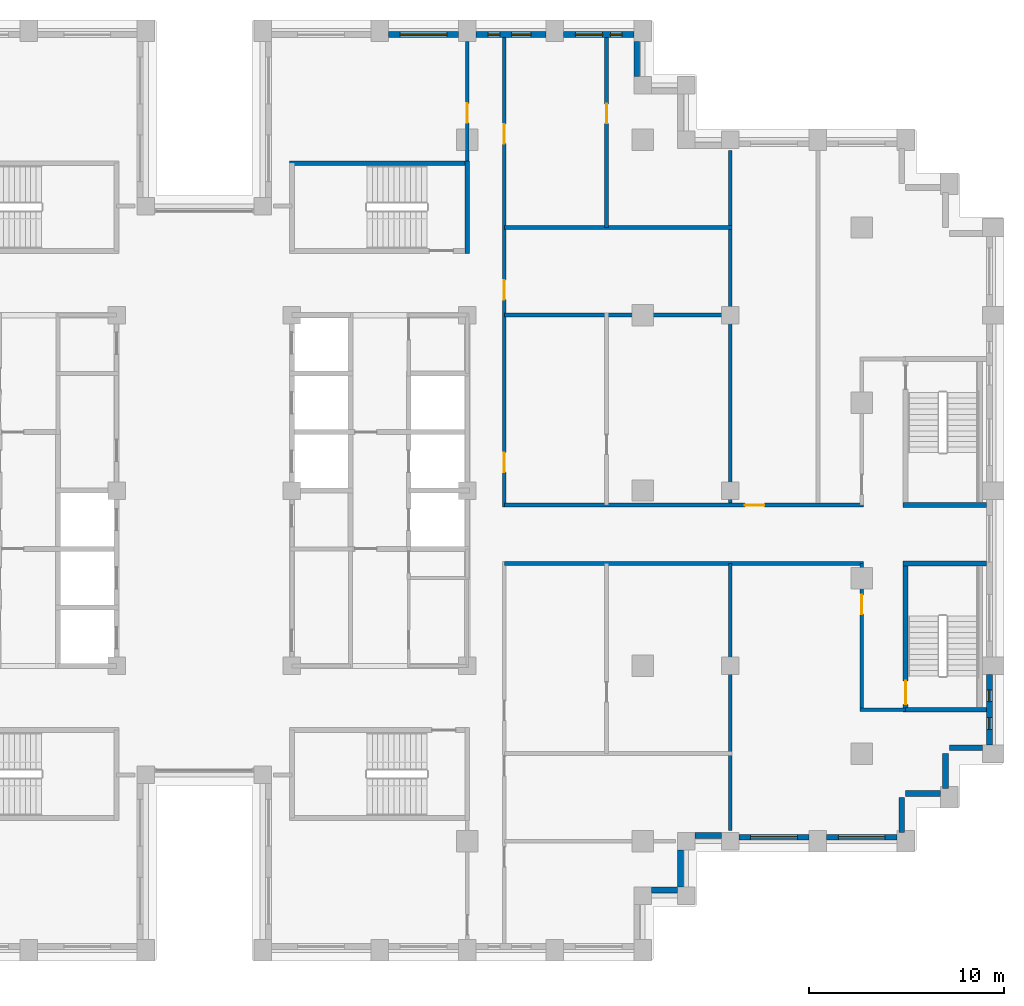
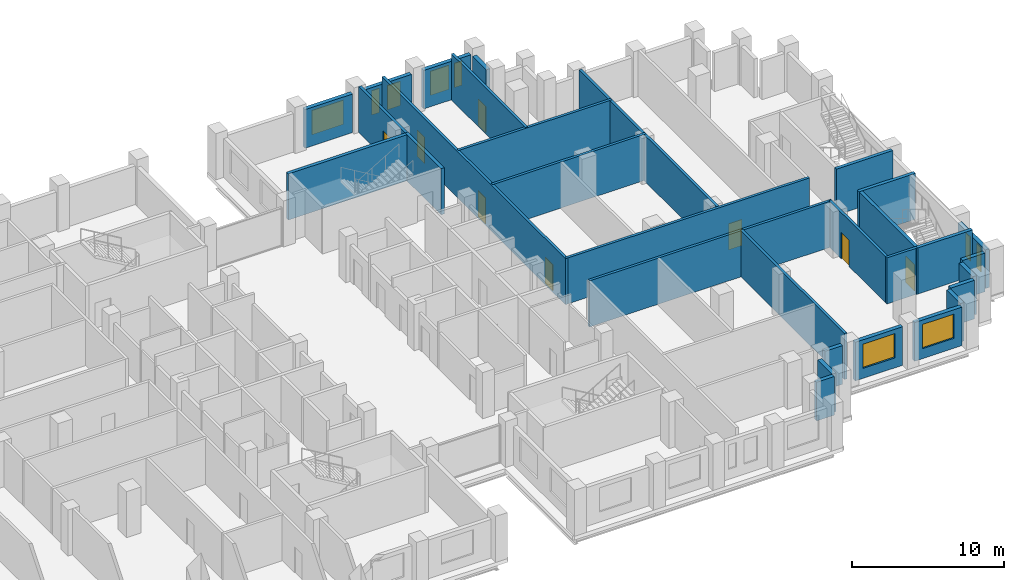
# One storey, part 11 of 15: 31 walls, 9 windows, 8 doors, 17 openings.
"""IFC4 building model written with IfcOpenShell, lengths in metres."""

import ifcopenshell
import ifcopenshell.guid

model = None  # the IFC model being written
_history = None  # IfcOwnerHistory: only IFC2X3 demands one
_inside = {}  # id of a spatial element -> (the spatial element, [elements in it])
_under = {}  # id of a project, library or spatial element -> (it, [spatial elements below it])
_declared = {}  # id of a project -> (the project, [libraries it declares])
_typed = {}  # id of a type object -> (the type object, [elements of that type])
_made_of = {}  # id of a material, layer set ... -> (it, [elements and type objects made of it])


def new_model(schema):
    """Start an empty IFC model of exactly this schema.

    Asked for "IFC4X3", IfcOpenShell would pick the latest addendum, in which some entities
    have other attributes; the version numbers below select the first issue.
    IFC2X3 requires an IfcOwnerHistory on every rooted entity: one is made here for all.
    """
    global model, _history
    if schema == "IFC4X3":
        model = ifcopenshell.file(schema_version=(4, 3, 0, 0))
    else:
        model = ifcopenshell.file(schema=schema)
    _inside.clear()
    _under.clear()
    _declared.clear()
    _typed.clear()
    _made_of.clear()
    _history = None
    if model.schema == "IFC2X3":
        org = make("IfcOrganization", Name="unknown")
        user = make(
            "IfcPersonAndOrganization",
            ThePerson=make("IfcPerson", FamilyName="unknown"),
            TheOrganization=org,
        )
        app = make(
            "IfcApplication",
            ApplicationDeveloper=org,
            Version="unknown",
            ApplicationFullName="unknown",
            ApplicationIdentifier="unknown",
        )
        _history = make(
            "IfcOwnerHistory",
            OwningUser=user,
            OwningApplication=app,
            ChangeAction="ADDED",
            CreationDate=0,
        )
    return model


def make(cls, **values):
    """One entity of the class cls with the attributes given. An attribute that is None is left unset."""
    return model.create_entity(
        cls, **{name: value for name, value in values.items() if value is not None}
    )


def rooted(cls, **values):
    """An entity with a GlobalId (a new one), such as an element, a storey or a relation."""
    return make(cls, GlobalId=ifcopenshell.guid.new(), OwnerHistory=_history, **values)


def si_unit(unit_type, name, prefix=None):
    """IfcSIUnit, for example si_unit("LENGTHUNIT", "METRE", prefix="MILLI")."""
    return make("IfcSIUnit", UnitType=unit_type, Prefix=prefix, Name=name)


def assignment(units):
    """IfcUnitAssignment: the units of a project."""
    return None if units is None else make("IfcUnitAssignment", Units=units)


def point(xyz):
    """IfcCartesianPoint."""
    return None if xyz is None else make("IfcCartesianPoint", Coordinates=xyz)


def direction(xyz):
    """IfcDirection."""
    return None if xyz is None else make("IfcDirection", DirectionRatios=xyz)


def frame(location, z_axis=None, x_axis=None):
    """IfcAxis2Placement3D, a coordinate frame: its origin and axes. An axis left out is left unset."""
    return make(
        "IfcAxis2Placement3D",
        Location=point(location),
        Axis=direction(z_axis),
        RefDirection=direction(x_axis),
    )


def frame_2d(location, x_axis=None):
    """IfcAxis2Placement2D, a coordinate frame in the plane: its origin and x axis."""
    return make(
        "IfcAxis2Placement2D", Location=point(location), RefDirection=direction(x_axis)
    )


def origin():
    """The frame at (0, 0, 0) with its axes left unset."""
    return frame((0.0, 0.0, 0.0))


def place(relative_to, where):
    """IfcLocalPlacement: puts the frame where relative to a parent placement (None: the world)."""
    return make(
        "IfcLocalPlacement", PlacementRelTo=relative_to, RelativePlacement=where
    )


def context(
    kind, dimensions, precision=None, world=None, true_north=None, identifier=None
):
    """IfcGeometricRepresentationContext, for example the 3D "Model" context."""
    return make(
        "IfcGeometricRepresentationContext",
        ContextIdentifier=identifier,
        ContextType=kind,
        CoordinateSpaceDimension=dimensions,
        Precision=precision,
        WorldCoordinateSystem=world,
        TrueNorth=true_north,
    )


def subcontext(parent, identifier, kind, view, scale=None):
    """IfcGeometricRepresentationSubContext, for example "Body" below "Model"."""
    return make(
        "IfcGeometricRepresentationSubContext",
        ContextIdentifier=identifier,
        ContextType=kind,
        ParentContext=parent,
        TargetScale=scale,
        TargetView=view,
    )


def project(units=None, contexts=None):
    """IfcProject with its units and contexts."""
    return rooted(
        "IfcProject",
        Name="project",
        RepresentationContexts=contexts,
        UnitsInContext=assignment(units),
    )


def spatial(cls, under=None, at=None, **own):
    """A site, building, storey or space (cls), placed at a placement, below another one or the project."""
    s = rooted(cls, ObjectPlacement=at, **own)
    if under is not None:
        _under.setdefault(under.id(), (under, []))[1].append(s)
    return s


def profile(cls, at=None, kind="AREA", **sizes):
    """A parametric profile (cls). Its sizes go by their IFC names, for example OverallWidth=200.0."""
    return make(cls, ProfileType=kind, Position=at, **sizes)


def rectangle(**sizes):
    """IfcRectangleProfileDef."""
    return profile("IfcRectangleProfileDef", **sizes)


def extrude(swept, where, along, depth):
    """IfcExtrudedAreaSolid: the profile swept, set in the frame where, extruded along a direction by depth."""
    return make(
        "IfcExtrudedAreaSolid",
        SweptArea=swept,
        Position=where,
        ExtrudedDirection=direction(along),
        Depth=depth,
    )


def shape(context_of_items, identifier, shape_type, items):
    """IfcShapeRepresentation: the items that make up one representation, for example the "Body"."""
    return make(
        "IfcShapeRepresentation",
        ContextOfItems=context_of_items,
        RepresentationIdentifier=identifier,
        RepresentationType=shape_type,
        Items=items,
    )


def material(Name=None, Category=None):
    """IfcMaterial."""
    return make("IfcMaterial", Name=Name, Category=Category)


def layer(
    of_material, thickness, ventilated=None, Name=None, Category=None, Priority=None
):
    """IfcMaterialLayer: one layer of a wall or slab, of a material (None: an air gap)."""
    return make(
        "IfcMaterialLayer",
        Material=of_material,
        LayerThickness=thickness,
        IsVentilated=ventilated,
        Name=Name,
        Category=Category,
        Priority=Priority,
    )


def layer_set(layers, Name=None):
    """IfcMaterialLayerSet."""
    return make("IfcMaterialLayerSet", MaterialLayers=layers, LayerSetName=Name)


def made_of(thing, what):
    """Note that an element or type object is made of a material, layer set ...; save() writes the relation."""
    if what is not None:
        _made_of.setdefault(what.id(), (what, []))[1].append(thing)
    return thing


def type_object(cls, material=None, **own):
    """A type object (cls), such as IfcWallType, which elements share."""
    return made_of(rooted(cls, **own), material)


def element(
    cls,
    number,
    at=None,
    inside=None,
    cuts=None,
    type_object=None,
    material=None,
    context=None,
    identifier="Body",
    shape_type=None,
    held_by="IfcProductDefinitionShape",
    body=None,
    shapes=None,
    **own,
):
    """One element of the class cls, such as IfcWall. Its Tag is "e" and its number.

    at: its placement. inside: the storey or other place that contains it. cuts: it is an
    opening in that element (IfcRelVoidsElement). A single representation is given by context,
    identifier, shape_type and body (its items); several are given by shapes. held_by: the class
    of the entity that holds the representations. save() writes the other relations.
    """
    e = rooted(cls, Tag="e%d" % number, ObjectPlacement=at, **own)
    if body is not None:
        shapes = [shape(context, identifier, shape_type, body)]
    if shapes is not None:
        e.Representation = make(held_by, Representations=shapes)
    if inside is not None:
        _inside.setdefault(inside.id(), (inside, []))[1].append(e)
    if cuts is not None:
        rooted(
            "IfcRelVoidsElement", RelatingBuildingElement=cuts, RelatedOpeningElement=e
        )
    if type_object is not None:
        _typed.setdefault(type_object.id(), (type_object, []))[1].append(e)
    return made_of(e, material)


def fill(opening, filler):
    """IfcRelFillsElement: the door or window that sits in an opening."""
    return rooted(
        "IfcRelFillsElement",
        RelatingOpeningElement=opening,
        RelatedBuildingElement=filler,
    )


def aggregate(whole, parts):
    """IfcRelAggregates: a whole, such as a stair, and the parts it consists of."""
    return rooted("IfcRelAggregates", RelatingObject=whole, RelatedObjects=parts)


def save(model, path):
    """Write the relations noted so far, then the file.

    IfcRelAggregates (storeys below a building ...), IfcRelContainedInSpatialStructure (elements
    in a storey), IfcRelDefinesByType, IfcRelAssociatesMaterial and IfcRelDeclares: one each for
    every whole, place, type object, material and project.
    """
    for whole, parts in _under.values():
        aggregate(whole, parts)
    for where, things in _inside.values():
        rooted(
            "IfcRelContainedInSpatialStructure",
            RelatedElements=things,
            RelatingStructure=where,
        )
    for kind, things in _typed.values():
        rooted("IfcRelDefinesByType", RelatedObjects=things, RelatingType=kind)
    for what, things in _made_of.values():
        rooted("IfcRelAssociatesMaterial", RelatedObjects=things, RelatingMaterial=what)
    for by, libraries in _declared.values():
        rooted("IfcRelDeclares", RelatingContext=by, RelatedDefinitions=libraries)
    model.write(path)


model = new_model("IFC4")

# Units and contexts
model_context = context("Model", 3, precision=1e-05, world=origin(), true_north=direction((0.0, 1.0)))
body_context = subcontext(model_context, "Body", "Model", "MODEL_VIEW")
ifc_project = project(units=[si_unit("LENGTHUNIT", "METRE"), si_unit("AREAUNIT", "SQUARE_METRE"), si_unit("VOLUMEUNIT", "CUBIC_METRE"), si_unit("PLANEANGLEUNIT", "RADIAN"), si_unit("MASSUNIT", "GRAM", prefix="KILO")], contexts=[model_context])

# Site, building, storey
site_placement = place(None, origin())
site = spatial("IfcSite", under=ifc_project, at=site_placement, CompositionType="ELEMENT")
building_placement = place(site_placement, origin())
building = spatial("IfcBuilding", under=site, at=building_placement, Name="Corbelhall Arena Tower", CompositionType="ELEMENT")
storey_placement = place(building_placement, frame((0.0, 0.0, 130.0)))
storey = spatial("IfcBuildingStorey", under=building, at=storey_placement, Name="L24", CompositionType="ELEMENT", Elevation=130.0)

# Walls
ifc_material_1 = material(Name="Precast concrete C40/50 with granite facing", Category="masonry")
ifc_layer_1 = layer(ifc_material_1, 0.300048828125)
ifc_layer_set_1 = layer_set([ifc_layer_1], Name="EV-IW1 Infill panel 300")
wall_type_1 = type_object("IfcWallType", Name="EV-IW1 Infill panel 300", PredefinedType="SOLIDWALL", material=ifc_layer_set_1)
for number, where, z_axis, x_axis, name in (
    (1, (35.800048828125, -17.550048828125, 0.0), (0.0, 0.0, 1.0), (0.0, 1.0, 0.0), "Infill panel IW1"),
    (2, (37.800048828125, -15.550048828125, 0.0), (0.0, 0.0, 1.0), (-1.0, 0.0, 0.0), "Infill panel IW1"),
    (3, (38.050048828125, -15.300048828125, 0.0), (0.0, 0.0, 1.0), (0.0, 1.0, 0.0), "Infill panel IW1"),
):
    element("IfcWall", number, at=place(storey_placement, frame(where, z_axis=z_axis, x_axis=x_axis)), inside=storey, type_object=wall_type_1, Name=name, PredefinedType="SOLIDWALL", context=body_context, shape_type="SweptSolid", body=[
        extrude(rectangle(XDim=1.800048828125, YDim=0.300048828125, at=frame_2d((0.89990234375, 0.0))), origin(), (0.0, 0.0, 1.0), 3.10009765625),
    ])
wall_1_placement = place(storey_placement, frame((39.949951171875, -13.199951171875, 0.0), z_axis=(0.0, 0.0, 1.0), x_axis=(-1.0, 0.0, 0.0)))
element("IfcWall", 4, at=wall_1_placement, inside=storey, type_object=wall_type_1, Name="Infill panel IW1", PredefinedType="SOLIDWALL", context=body_context, shape_type="SweptSolid", body=[
    extrude(rectangle(XDim=1.699951171875, YDim=0.300048828125, at=frame_2d((0.85009765625, 0.0))), origin(), (0.0, 0.0, 1.0), 3.10009765625),
])
wall_2_placement = place(storey_placement, frame((22.949951171875, -20.5, 0.0), z_axis=(0.0, 0.0, 1.0), x_axis=(1.0, 0.0, 0.0)))
element("IfcWall", 5, at=wall_2_placement, inside=storey, type_object=wall_type_1, Name="Infill panel IW1", PredefinedType="SOLIDWALL", context=body_context, shape_type="SweptSolid", body=[
    extrude(rectangle(XDim=1.35009765625, YDim=0.300048828125, at=frame_2d((0.675048828125, 0.0))), origin(), (0.0, 0.0, 1.0), 3.10009765625),
])
wall_3_placement = place(storey_placement, frame((24.449951171875, -20.35009765625, 0.0), z_axis=(0.0, 0.0, 1.0), x_axis=(0.0, 1.0, 0.0)))
element("IfcWall", 6, at=wall_3_placement, inside=storey, type_object=wall_type_1, Name="Infill panel IW1", PredefinedType="SOLIDWALL", context=body_context, shape_type="SweptSolid", body=[
    extrude(rectangle(XDim=1.900146484375, YDim=0.300048828125, at=frame_2d((0.9501953125, 0.0))), origin(), (0.0, 0.0, 1.0), 3.10009765625),
])
wall_4_placement = place(storey_placement, frame((25.199951171875, -17.699951171875, 0.0), z_axis=(0.0, 0.0, 1.0), x_axis=(1.0, 0.0, 0.0)))
element("IfcWall", 7, at=wall_4_placement, inside=storey, type_object=wall_type_1, Name="Infill panel IW1", PredefinedType="SOLIDWALL", context=body_context, shape_type="SweptSolid", body=[
    extrude(rectangle(XDim=1.35009765625, YDim=0.300048828125, at=frame_2d((0.675048828125, 0.0))), origin(), (0.0, 0.0, 1.0), 3.10009765625),
])

# Wall, opening, window
wall_5_placement = place(storey_placement, frame((27.449951171875, -17.800048828125, 0.0), z_axis=(0.0, 0.0, 1.0), x_axis=(1.0, 0.0, 0.0)))
wall_5 = element("IfcWall", 8, at=wall_5_placement, inside=storey, type_object=wall_type_1, Name="Infill panel IW1", PredefinedType="SOLIDWALL", context=body_context, shape_type="SweptSolid", body=[
    extrude(rectangle(XDim=3.60009765625, YDim=0.300048828125, at=frame_2d((1.800048828125, 0.0))), origin(), (0.0, 0.0, 1.0), 3.10009765625),
])
opening_1_placement = place(wall_5_placement, frame((0.60009765625, 0.0, 0.800048828125)))
opening_1 = element("IfcOpeningElement", 9, at=opening_1_placement, cuts=wall_5, Name="Opening WN1", PredefinedType="OPENING", context=body_context, shape_type="SweptSolid", body=[
    extrude(rectangle(XDim=2.39990234375, YDim=1.949951171875, at=frame_2d((1.199951171875, 0.97509765625))), frame((0.0, 0.14990234375, 0.0), z_axis=(0.0, -1.0, 0.0), x_axis=(1.0, 0.0, 0.0)), (0.0, 0.0, 1.0), 0.300048828125),
])
ifc_material_2 = material(Name="Aluminium black anodised", Category="aluminium")
window_type_1 = type_object("IfcWindowType", Name="EV-WN1 Office window", PartitioningType="SINGLE_PANEL", PredefinedType="WINDOW", material=ifc_material_2)
window_1_placement = place(opening_1_placement, origin())
window_1 = element("IfcWindow", 10, at=window_1_placement, inside=storey, type_object=window_type_1, Name="Window WN1", OverallHeight=1.949951171875, OverallWidth=2.39990234375, PartitioningType="SINGLE_PANEL", PredefinedType="WINDOW", context=body_context, shape_type="SweptSolid", body=[
    extrude(rectangle(XDim=2.39990234375, YDim=1.949951171875, at=frame_2d((1.199951171875, 0.97509765625))), frame((0.0, 0.030029296875, 0.0), z_axis=(0.0, -1.0, 0.0), x_axis=(1.0, 0.0, 0.0)), (0.0, 0.0, 1.0), 0.06005859375),
])
fill(opening_1, window_1)

wall_6_placement = place(storey_placement, frame((31.949951171875, -17.800048828125, 0.0), z_axis=(0.0, 0.0, 1.0), x_axis=(1.0, 0.0, 0.0)))
wall_6 = element("IfcWall", 11, at=wall_6_placement, inside=storey, type_object=wall_type_1, Name="Infill panel IW1", PredefinedType="SOLIDWALL", context=body_context, shape_type="SweptSolid", body=[
    extrude(rectangle(XDim=3.60009765625, YDim=0.300048828125, at=frame_2d((1.800048828125, 0.0))), origin(), (0.0, 0.0, 1.0), 3.10009765625),
])
opening_2_placement = place(wall_6_placement, frame((0.60009765625, 0.0, 0.800048828125)))
opening_2 = element("IfcOpeningElement", 12, at=opening_2_placement, cuts=wall_6, Name="Opening WN1", PredefinedType="OPENING", context=body_context, shape_type="SweptSolid", body=[
    extrude(rectangle(XDim=2.39990234375, YDim=1.949951171875, at=frame_2d((1.199951171875, 0.97509765625))), frame((0.0, 0.14990234375, 0.0), z_axis=(0.0, -1.0, 0.0), x_axis=(1.0, 0.0, 0.0)), (0.0, 0.0, 1.0), 0.300048828125),
])
window_2_placement = place(opening_2_placement, origin())
window_2 = element("IfcWindow", 13, at=window_2_placement, inside=storey, type_object=window_type_1, Name="Window WN1", OverallHeight=1.949951171875, OverallWidth=2.39990234375, PartitioningType="SINGLE_PANEL", PredefinedType="WINDOW", context=body_context, shape_type="SweptSolid", body=[
    extrude(rectangle(XDim=2.39990234375, YDim=1.949951171875, at=frame_2d((1.199951171875, 0.97509765625))), frame((0.0, 0.030029296875, 0.0), z_axis=(0.0, -1.0, 0.0), x_axis=(1.0, 0.0, 0.0)), (0.0, 0.0, 1.0), 0.06005859375),
])
fill(opening_2, window_2)

# Wall, openings, windows
wall_7_placement = place(storey_placement, frame((40.300048828125, -13.050048828125, 0.0), z_axis=(0.0, 0.0, 1.0), x_axis=(0.0, 1.0, 0.0)))
wall_7 = element("IfcWall", 14, at=wall_7_placement, inside=storey, type_object=wall_type_1, Name="Infill panel IW1", PredefinedType="SOLIDWALL", context=body_context, shape_type="SweptSolid", body=[
    extrude(rectangle(XDim=3.60009765625, YDim=0.300048828125, at=frame_2d((1.800048828125, 0.0))), origin(), (0.0, 0.0, 1.0), 3.10009765625),
])
opening_3_placement = place(wall_7_placement, frame((0.78759765625, 0.0, 0.800048828125)))
opening_3 = element("IfcOpeningElement", 15, at=opening_3_placement, cuts=wall_7, Name="Opening WN5", PredefinedType="OPENING", context=body_context, shape_type="SweptSolid", body=[
    extrude(rectangle(XDim=0.60009765625, YDim=1.949951171875, at=frame_2d((0.300048828125, 0.97509765625))), frame((0.0, 0.14990234375, 0.0), z_axis=(0.0, -1.0, 0.0), x_axis=(1.0, 0.0, 0.0)), (0.0, 0.0, 1.0), 0.300048828125),
])
opening_4_placement = place(wall_7_placement, frame((2.21240234375, 0.0, 0.800048828125)))
opening_4 = element("IfcOpeningElement", 16, at=opening_4_placement, cuts=wall_7, Name="Opening WN5", PredefinedType="OPENING", context=body_context, shape_type="SweptSolid", body=[
    extrude(rectangle(XDim=0.60009765625, YDim=1.949951171875, at=frame_2d((0.300048828125, 0.97509765625))), frame((0.0, 0.14990234375, 0.0), z_axis=(0.0, -1.0, 0.0), x_axis=(1.0, 0.0, 0.0)), (0.0, 0.0, 1.0), 0.300048828125),
])
window_type_2 = type_object("IfcWindowType", Name="EV-WN5 Office window 600", PartitioningType="SINGLE_PANEL", PredefinedType="WINDOW", material=ifc_material_2)
window_3_placement = place(opening_3_placement, origin())
window_3 = element("IfcWindow", 17, at=window_3_placement, inside=storey, type_object=window_type_2, Name="Window WN5", OverallHeight=1.949951171875, OverallWidth=0.60009765625, PartitioningType="SINGLE_PANEL", PredefinedType="WINDOW", context=body_context, shape_type="SweptSolid", body=[
    extrude(rectangle(XDim=0.60009765625, YDim=1.949951171875, at=frame_2d((0.300048828125, 0.97509765625))), frame((0.0, 0.030029296875, 0.0), z_axis=(0.0, -1.0, 0.0), x_axis=(1.0, 0.0, 0.0)), (0.0, 0.0, 1.0), 0.06005859375),
])
fill(opening_3, window_3)
window_4_placement = place(opening_4_placement, origin())
window_4 = element("IfcWindow", 18, at=window_4_placement, inside=storey, type_object=window_type_2, Name="Window WN5", OverallHeight=1.949951171875, OverallWidth=0.60009765625, PartitioningType="SINGLE_PANEL", PredefinedType="WINDOW", context=body_context, shape_type="SweptSolid", body=[
    extrude(rectangle(XDim=0.60009765625, YDim=1.949951171875, at=frame_2d((0.300048828125, 0.97509765625))), frame((0.0, 0.030029296875, 0.0), z_axis=(0.0, -1.0, 0.0), x_axis=(1.0, 0.0, 0.0)), (0.0, 0.0, 1.0), 0.06005859375),
])
fill(opening_4, window_4)

# Wall
wall_8_placement = place(storey_placement, frame((22.199951171875, 21.25, 0.0), z_axis=(0.0, 0.0, 1.0), x_axis=(0.0, 1.0, 0.0)))
element("IfcWall", 19, at=wall_8_placement, inside=storey, type_object=wall_type_1, Name="Infill panel IW1", PredefinedType="SOLIDWALL", context=body_context, shape_type="SweptSolid", body=[
    extrude(rectangle(XDim=1.800048828125, YDim=0.300048828125, at=frame_2d((0.89990234375, 0.0))), origin(), (0.0, 0.0, 1.0), 3.10009765625),
])

# Wall, openings, windows
wall_9_placement = place(storey_placement, frame((22.050048828125, 23.39990234375, 0.0), z_axis=(0.0, 0.0, 1.0), x_axis=(-1.0, 0.0, 0.0)))
wall_9 = element("IfcWall", 20, at=wall_9_placement, inside=storey, type_object=wall_type_1, Name="Infill panel IW1", PredefinedType="SOLIDWALL", context=body_context, shape_type="SweptSolid", body=[
    extrude(rectangle(XDim=3.60009765625, YDim=0.300048828125, at=frame_2d((1.800048828125, 0.0))), origin(), (0.0, 0.0, 1.0), 3.10009765625),
])
opening_5_placement = place(wall_9_placement, frame((0.60009765625, 0.0, 0.800048828125)))
opening_5 = element("IfcOpeningElement", 21, at=opening_5_placement, cuts=wall_9, Name="Opening WN5", PredefinedType="OPENING", context=body_context, shape_type="SweptSolid", body=[
    extrude(rectangle(XDim=0.60009765625, YDim=1.949951171875, at=frame_2d((0.300048828125, 0.97509765625))), frame((0.0, 0.14990234375, 0.0), z_axis=(0.0, -1.0, 0.0), x_axis=(1.0, 0.0, 0.0)), (0.0, 0.0, 1.0), 0.300048828125),
])
opening_6_placement = place(wall_9_placement, frame((1.60009765625, 0.0, 0.800048828125)))
opening_6 = element("IfcOpeningElement", 22, at=opening_6_placement, cuts=wall_9, Name="Opening WN7", PredefinedType="OPENING", context=body_context, shape_type="SweptSolid", body=[
    extrude(rectangle(XDim=1.39990234375, YDim=1.949951171875, at=frame_2d((0.699951171875, 0.97509765625))), frame((0.0, 0.14990234375, 0.0), z_axis=(0.0, -1.0, 0.0), x_axis=(1.0, 0.0, 0.0)), (0.0, 0.0, 1.0), 0.300048828125),
])
window_5_placement = place(opening_5_placement, origin())
window_5 = element("IfcWindow", 23, at=window_5_placement, inside=storey, type_object=window_type_2, Name="Window WN5", OverallHeight=1.949951171875, OverallWidth=0.60009765625, PartitioningType="SINGLE_PANEL", PredefinedType="WINDOW", context=body_context, shape_type="SweptSolid", body=[
    extrude(rectangle(XDim=0.60009765625, YDim=1.949951171875, at=frame_2d((0.300048828125, 0.97509765625))), frame((0.0, 0.030029296875, 0.0), z_axis=(0.0, -1.0, 0.0), x_axis=(1.0, 0.0, 0.0)), (0.0, 0.0, 1.0), 0.06005859375),
])
fill(opening_5, window_5)
window_type_3 = type_object("IfcWindowType", Name="EV-WN7 Office window 1400", PartitioningType="SINGLE_PANEL", PredefinedType="WINDOW", material=ifc_material_2)
window_6_placement = place(opening_6_placement, origin())
window_6 = element("IfcWindow", 24, at=window_6_placement, inside=storey, type_object=window_type_3, Name="Window WN7", OverallHeight=1.949951171875, OverallWidth=1.39990234375, PartitioningType="SINGLE_PANEL", PredefinedType="WINDOW", context=body_context, shape_type="SweptSolid", body=[
    extrude(rectangle(XDim=1.39990234375, YDim=1.949951171875, at=frame_2d((0.699951171875, 0.97509765625))), frame((0.0, 0.030029296875, 0.0), z_axis=(0.0, -1.0, 0.0), x_axis=(1.0, 0.0, 0.0)), (0.0, 0.0, 1.0), 0.06005859375),
])
fill(opening_6, window_6)

wall_10_placement = place(storey_placement, frame((17.550048828125, 23.39990234375, 0.0), z_axis=(0.0, 0.0, 1.0), x_axis=(-1.0, 0.0, 0.0)))
wall_10 = element("IfcWall", 25, at=wall_10_placement, inside=storey, type_object=wall_type_1, Name="Infill panel IW1", PredefinedType="SOLIDWALL", context=body_context, shape_type="SweptSolid", body=[
    extrude(rectangle(XDim=3.60009765625, YDim=0.300048828125, at=frame_2d((1.800048828125, 0.0))), origin(), (0.0, 0.0, 1.0), 3.10009765625),
])
opening_7_placement = place(wall_10_placement, frame((0.77490234375, 0.0, 0.800048828125)))
opening_7 = element("IfcOpeningElement", 26, at=opening_7_placement, cuts=wall_10, Name="Opening WN6", PredefinedType="OPENING", context=body_context, shape_type="SweptSolid", body=[
    extrude(rectangle(XDim=1.0, YDim=1.949951171875, at=frame_2d((0.5, 0.97509765625))), frame((0.0, 0.14990234375, 0.0), z_axis=(0.0, -1.0, 0.0), x_axis=(1.0, 0.0, 0.0)), (0.0, 0.0, 1.0), 0.300048828125),
])
opening_8_placement = place(wall_10_placement, frame((2.375, 0.0, 0.800048828125)))
opening_8 = element("IfcOpeningElement", 27, at=opening_8_placement, cuts=wall_10, Name="Opening WN5", PredefinedType="OPENING", context=body_context, shape_type="SweptSolid", body=[
    extrude(rectangle(XDim=0.60009765625, YDim=1.949951171875, at=frame_2d((0.300048828125, 0.97509765625))), frame((0.0, 0.14990234375, 0.0), z_axis=(0.0, -1.0, 0.0), x_axis=(1.0, 0.0, 0.0)), (0.0, 0.0, 1.0), 0.300048828125),
])
window_7_placement = place(opening_8_placement, origin())
window_7 = element("IfcWindow", 28, at=window_7_placement, inside=storey, type_object=window_type_2, Name="Window WN5", OverallHeight=1.949951171875, OverallWidth=0.60009765625, PartitioningType="SINGLE_PANEL", PredefinedType="WINDOW", context=body_context, shape_type="SweptSolid", body=[
    extrude(rectangle(XDim=0.60009765625, YDim=1.949951171875, at=frame_2d((0.300048828125, 0.97509765625))), frame((0.0, 0.030029296875, 0.0), z_axis=(0.0, -1.0, 0.0), x_axis=(1.0, 0.0, 0.0)), (0.0, 0.0, 1.0), 0.06005859375),
])
fill(opening_8, window_7)
window_type_4 = type_object("IfcWindowType", Name="EV-WN6 Office window 1000", PartitioningType="SINGLE_PANEL", PredefinedType="WINDOW", material=ifc_material_2)
window_8_placement = place(opening_7_placement, origin())
window_8 = element("IfcWindow", 29, at=window_8_placement, inside=storey, type_object=window_type_4, Name="Window WN6", OverallHeight=1.949951171875, OverallWidth=1.0, PartitioningType="SINGLE_PANEL", PredefinedType="WINDOW", context=body_context, shape_type="SweptSolid", body=[
    extrude(rectangle(XDim=1.0, YDim=1.949951171875, at=frame_2d((0.5, 0.97509765625))), frame((0.0, 0.030029296875, 0.0), z_axis=(0.0, -1.0, 0.0), x_axis=(1.0, 0.0, 0.0)), (0.0, 0.0, 1.0), 0.06005859375),
])
fill(opening_7, window_8)

# Wall, opening, window
wall_11_placement = place(storey_placement, frame((13.050048828125, 23.39990234375, 0.0), z_axis=(0.0, 0.0, 1.0), x_axis=(-1.0, 0.0, 0.0)))
wall_11 = element("IfcWall", 30, at=wall_11_placement, inside=storey, type_object=wall_type_1, Name="Infill panel IW1", PredefinedType="SOLIDWALL", context=body_context, shape_type="SweptSolid", body=[
    extrude(rectangle(XDim=3.60009765625, YDim=0.300048828125, at=frame_2d((1.800048828125, 0.0))), origin(), (0.0, 0.0, 1.0), 3.10009765625),
])
opening_9_placement = place(wall_11_placement, frame((0.60009765625, 0.0, 0.800048828125)))
opening_9 = element("IfcOpeningElement", 31, at=opening_9_placement, cuts=wall_11, Name="Opening WN1", PredefinedType="OPENING", context=body_context, shape_type="SweptSolid", body=[
    extrude(rectangle(XDim=2.39990234375, YDim=1.949951171875, at=frame_2d((1.199951171875, 0.97509765625))), frame((0.0, 0.14990234375, 0.0), z_axis=(0.0, -1.0, 0.0), x_axis=(1.0, 0.0, 0.0)), (0.0, 0.0, 1.0), 0.300048828125),
])
window_9_placement = place(opening_9_placement, origin())
window_9 = element("IfcWindow", 32, at=window_9_placement, inside=storey, type_object=window_type_1, Name="Window WN1", OverallHeight=1.949951171875, OverallWidth=2.39990234375, PartitioningType="SINGLE_PANEL", PredefinedType="WINDOW", context=body_context, shape_type="SweptSolid", body=[
    extrude(rectangle(XDim=2.39990234375, YDim=1.949951171875, at=frame_2d((1.199951171875, 0.97509765625))), frame((0.0, 0.030029296875, 0.0), z_axis=(0.0, -1.0, 0.0), x_axis=(1.0, 0.0, 0.0)), (0.0, 0.0, 1.0), 0.06005859375),
])
fill(opening_9, window_9)

# Wall, opening, door
ifc_material_3 = material(Name="Gypsum board on steel stud, acoustic", Category="steel")
ifc_layer_2 = layer(ifc_material_3, 0.199951171875)
ifc_layer_set_2 = layer_set([ifc_layer_2], Name="IN-W-DM200")
wall_type_2 = type_object("IfcWallType", Name="IN-W-DM200", PredefinedType="PARTITIONING", material=ifc_layer_set_2)
wall_12_placement = place(storey_placement, frame((13.5, 16.675048828125, 0.0), z_axis=(0.0, 0.0, 1.0), x_axis=(0.0, 1.0, 0.0)))
wall_12 = element("IfcWall", 33, at=wall_12_placement, inside=storey, type_object=wall_type_2, Name="Partition 028", PredefinedType="PARTITIONING", context=body_context, shape_type="SweptSolid", body=[
    extrude(rectangle(XDim=6.375, YDim=0.199951171875, at=frame_2d((3.1875, 0.0))), origin(), (0.0, 0.0, 1.0), 3.699951171875),
])
opening_10_placement = place(wall_12_placement, frame((2.199951171875, 0.0, 0.0)))
opening_10 = element("IfcOpeningElement", 34, at=opening_10_placement, cuts=wall_12, Name="Opening 06024", PredefinedType="OPENING", context=body_context, shape_type="SweptSolid", body=[
    extrude(rectangle(XDim=1.0, YDim=2.10009765625, at=frame_2d((0.5, 1.050048828125))), frame((0.0, 0.10009765625, 0.0), z_axis=(0.0, -1.0, 0.0), x_axis=(1.0, 0.0, 0.0)), (0.0, 0.0, 1.0), 0.199951171875),
])
ifc_material_4 = material(Name="Steel door set", Category="steel")
door_type_1 = type_object("IfcDoorType", Name="IN-D-SW100", OperationType="NOTDEFINED", PredefinedType="DOOR", material=ifc_material_4)
door_1_placement = place(opening_10_placement, origin())
door_1 = element("IfcDoor", 35, at=door_1_placement, inside=storey, type_object=door_type_1, Name="Door 024", OperationType="SINGLE_SWING_LEFT", OverallHeight=2.10009765625, OverallWidth=1.0, PredefinedType="DOOR", context=body_context, shape_type="SweptSolid", body=[
    extrude(rectangle(XDim=1.0, YDim=2.10009765625, at=frame_2d((0.5, 1.050048828125))), frame((0.0, 0.02490234375, 0.0), z_axis=(0.0, -1.0, 0.0), x_axis=(1.0, 0.0, 0.0)), (0.0, 0.0, 1.0), 0.050048828125),
])
fill(opening_10, door_1)

wall_13_placement = place(storey_placement, frame((15.39990234375, -0.75, 0.0), z_axis=(0.0, 0.0, 1.0), x_axis=(1.0, 0.0, 0.0)))
wall_13 = element("IfcWall", 36, at=wall_13_placement, inside=storey, type_object=wall_type_2, Name="Partition 032", PredefinedType="PARTITIONING", context=body_context, shape_type="SweptSolid", body=[
    extrude(rectangle(XDim=18.4501953125, YDim=0.199951171875, at=frame_2d((9.22509765625, 0.0))), origin(), (0.0, 0.0, 1.0), 3.699951171875),
])
opening_11_placement = place(wall_13_placement, frame((12.35009765625, 0.0, 0.0)))
opening_11 = element("IfcOpeningElement", 37, at=opening_11_placement, cuts=wall_13, Name="Opening 06046", PredefinedType="OPENING", context=body_context, shape_type="SweptSolid", body=[
    extrude(rectangle(XDim=1.0, YDim=2.10009765625, at=frame_2d((0.5, 1.050048828125))), frame((0.0, 0.10009765625, 0.0), z_axis=(0.0, -1.0, 0.0), x_axis=(1.0, 0.0, 0.0)), (0.0, 0.0, 1.0), 0.199951171875),
])
door_2_placement = place(opening_11_placement, origin())
door_2 = element("IfcDoor", 38, at=door_2_placement, inside=storey, type_object=door_type_1, Name="Door 046", OperationType="SINGLE_SWING_LEFT", OverallHeight=2.10009765625, OverallWidth=1.0, PredefinedType="DOOR", context=body_context, shape_type="SweptSolid", body=[
    extrude(rectangle(XDim=1.0, YDim=2.10009765625, at=frame_2d((0.5, 1.050048828125))), frame((0.0, 0.02490234375, 0.0), z_axis=(0.0, -1.0, 0.0), x_axis=(1.0, 0.0, 0.0)), (0.0, 0.0, 1.0), 0.050048828125),
])
fill(opening_11, door_2)

# Wall
wall_14_placement = place(storey_placement, frame((15.39990234375, 9.0, 0.0), z_axis=(0.0, 0.0, 1.0), x_axis=(1.0, 0.0, 0.0)))
element("IfcWall", 39, at=wall_14_placement, inside=storey, type_object=wall_type_2, Name="Partition 033", PredefinedType="PARTITIONING", context=body_context, shape_type="SweptSolid", body=[
    extrude(rectangle(XDim=11.7001953125, YDim=0.199951171875, at=frame_2d((5.85009765625, 0.0))), origin(), (0.0, 0.0, 1.0), 3.699951171875),
])

# Wall, openings, doors
wall_15_placement = place(storey_placement, frame((15.39990234375, 23.25, 0.0), z_axis=(0.0, 0.0, 1.0), x_axis=(0.0, -1.0, 0.0)))
wall_15 = element("IfcWall", 40, at=wall_15_placement, inside=storey, type_object=wall_type_2, Name="Partition 034", PredefinedType="PARTITIONING", context=body_context, shape_type="SweptSolid", body=[
    extrude(rectangle(XDim=24.10009765625, YDim=0.199951171875, at=frame_2d((12.050048828125, 0.0))), origin(), (0.0, 0.0, 1.0), 3.699951171875),
])
opening_12_placement = place(wall_15_placement, frame((21.300048828125, 0.0, 0.0)))
opening_12 = element("IfcOpeningElement", 41, at=opening_12_placement, cuts=wall_15, Name="Opening 06034", PredefinedType="OPENING", context=body_context, shape_type="SweptSolid", body=[
    extrude(rectangle(XDim=1.0, YDim=2.10009765625, at=frame_2d((0.5, 1.050048828125))), frame((0.0, 0.10009765625, 0.0), z_axis=(0.0, -1.0, 0.0), x_axis=(1.0, 0.0, 0.0)), (0.0, 0.0, 1.0), 0.199951171875),
])
opening_13_placement = place(wall_15_placement, frame((12.449951171875, 0.0, 0.0)))
opening_13 = element("IfcOpeningElement", 42, at=opening_13_placement, cuts=wall_15, Name="Opening 06036", PredefinedType="OPENING", context=body_context, shape_type="SweptSolid", body=[
    extrude(rectangle(XDim=1.0, YDim=2.10009765625, at=frame_2d((0.5, 1.050048828125))), frame((0.0, 0.10009765625, 0.0), z_axis=(0.0, -1.0, 0.0), x_axis=(1.0, 0.0, 0.0)), (0.0, 0.0, 1.0), 0.199951171875),
])
opening_14_placement = place(wall_15_placement, frame((4.449951171875, 0.0, 0.0)))
opening_14 = element("IfcOpeningElement", 43, at=opening_14_placement, cuts=wall_15, Name="Opening 06037", PredefinedType="OPENING", context=body_context, shape_type="SweptSolid", body=[
    extrude(rectangle(XDim=1.0, YDim=2.10009765625, at=frame_2d((0.5, 1.050048828125))), frame((0.0, 0.10009765625, 0.0), z_axis=(0.0, -1.0, 0.0), x_axis=(1.0, 0.0, 0.0)), (0.0, 0.0, 1.0), 0.199951171875),
])
door_3_placement = place(opening_12_placement, origin())
door_3 = element("IfcDoor", 44, at=door_3_placement, inside=storey, type_object=door_type_1, Name="Door 034", OperationType="SINGLE_SWING_LEFT", OverallHeight=2.10009765625, OverallWidth=1.0, PredefinedType="DOOR", context=body_context, shape_type="SweptSolid", body=[
    extrude(rectangle(XDim=1.0, YDim=2.10009765625, at=frame_2d((0.5, 1.050048828125))), frame((0.0, 0.02490234375, 0.0), z_axis=(0.0, -1.0, 0.0), x_axis=(1.0, 0.0, 0.0)), (0.0, 0.0, 1.0), 0.050048828125),
])
fill(opening_12, door_3)
door_4_placement = place(opening_13_placement, origin())
door_4 = element("IfcDoor", 45, at=door_4_placement, inside=storey, type_object=door_type_1, Name="Door 036", OperationType="SINGLE_SWING_LEFT", OverallHeight=2.10009765625, OverallWidth=1.0, PredefinedType="DOOR", context=body_context, shape_type="SweptSolid", body=[
    extrude(rectangle(XDim=1.0, YDim=2.10009765625, at=frame_2d((0.5, 1.050048828125))), frame((0.0, 0.02490234375, 0.0), z_axis=(0.0, -1.0, 0.0), x_axis=(1.0, 0.0, 0.0)), (0.0, 0.0, 1.0), 0.050048828125),
])
fill(opening_13, door_4)
door_5_placement = place(opening_14_placement, origin())
door_5 = element("IfcDoor", 46, at=door_5_placement, inside=storey, type_object=door_type_1, Name="Door 037", OperationType="SINGLE_SWING_RIGHT", OverallHeight=2.10009765625, OverallWidth=1.0, PredefinedType="DOOR", context=body_context, shape_type="SweptSolid", body=[
    extrude(rectangle(XDim=1.0, YDim=2.10009765625, at=frame_2d((0.5, 1.050048828125))), frame((0.0, 0.02490234375, 0.0), z_axis=(0.0, -1.0, 0.0), x_axis=(1.0, 0.0, 0.0)), (0.0, 0.0, 1.0), 0.050048828125),
])
fill(opening_14, door_5)

# Wall
wall_16_placement = place(storey_placement, frame((15.39990234375, 13.5, 0.0), z_axis=(0.0, 0.0, 1.0), x_axis=(1.0, 0.0, 0.0)))
element("IfcWall", 47, at=wall_16_placement, inside=storey, type_object=wall_type_2, Name="Partition 035", PredefinedType="PARTITIONING", context=body_context, shape_type="SweptSolid", body=[
    extrude(rectangle(XDim=11.7001953125, YDim=0.199951171875, at=frame_2d((5.85009765625, 0.0))), origin(), (0.0, 0.0, 1.0), 3.699951171875),
])

# Wall, opening, door
wall_17_placement = place(storey_placement, frame((20.64990234375, 23.25, 0.0), z_axis=(0.0, 0.0, 1.0), x_axis=(0.0, -1.0, 0.0)))
wall_17 = element("IfcWall", 48, at=wall_17_placement, inside=storey, type_object=wall_type_2, Name="Partition 038", PredefinedType="PARTITIONING", context=body_context, shape_type="SweptSolid", body=[
    extrude(rectangle(XDim=9.75, YDim=0.199951171875, at=frame_2d((4.875, 0.0))), origin(), (0.0, 0.0, 1.0), 3.699951171875),
])
opening_15_placement = place(wall_17_placement, frame((3.39990234375, 0.0, 0.0)))
opening_15 = element("IfcOpeningElement", 49, at=opening_15_placement, cuts=wall_17, Name="Opening 06038", PredefinedType="OPENING", context=body_context, shape_type="SweptSolid", body=[
    extrude(rectangle(XDim=1.0, YDim=2.10009765625, at=frame_2d((0.5, 1.050048828125))), frame((0.0, 0.10009765625, 0.0), z_axis=(0.0, -1.0, 0.0), x_axis=(1.0, 0.0, 0.0)), (0.0, 0.0, 1.0), 0.199951171875),
])
door_6_placement = place(opening_15_placement, origin())
door_6 = element("IfcDoor", 50, at=door_6_placement, inside=storey, type_object=door_type_1, Name="Door 038", OperationType="SINGLE_SWING_LEFT", OverallHeight=2.10009765625, OverallWidth=1.0, PredefinedType="DOOR", context=body_context, shape_type="SweptSolid", body=[
    extrude(rectangle(XDim=1.0, YDim=2.10009765625, at=frame_2d((0.5, 1.050048828125))), frame((0.0, 0.02490234375, 0.0), z_axis=(0.0, -1.0, 0.0), x_axis=(1.0, 0.0, 0.0)), (0.0, 0.0, 1.0), 0.050048828125),
])
fill(opening_15, door_6)

# Walls
wall_18_placement = place(storey_placement, frame((33.85009765625, -3.75, 0.0), z_axis=(0.0, 0.0, 1.0), x_axis=(-1.0, 0.0, 0.0)))
element("IfcWall", 51, at=wall_18_placement, inside=storey, type_object=wall_type_2, Name="Partition 039", PredefinedType="PARTITIONING", context=body_context, shape_type="SweptSolid", body=[
    extrude(rectangle(XDim=18.4501953125, YDim=0.199951171875, at=frame_2d((9.22509765625, 0.0))), origin(), (0.0, 0.0, 1.0), 3.699951171875),
])
wall_19_placement = place(storey_placement, frame((27.0, -3.75, 0.0), z_axis=(0.0, 0.0, 1.0), x_axis=(0.0, -1.0, 0.0)))
element("IfcWall", 52, at=wall_19_placement, inside=storey, type_object=wall_type_2, Name="Partition 040", PredefinedType="PARTITIONING", context=body_context, shape_type="SweptSolid", body=[
    extrude(rectangle(XDim=13.699951171875, YDim=0.199951171875, at=frame_2d((6.85009765625, 0.0))), origin(), (0.0, 0.0, 1.0), 3.699951171875),
])
wall_20_placement = place(storey_placement, frame((27.0, 17.449951171875, 0.0), z_axis=(0.0, 0.0, 1.0), x_axis=(0.0, -1.0, 0.0)))
element("IfcWall", 53, at=wall_20_placement, inside=storey, type_object=wall_type_2, Name="Partition 041", PredefinedType="PARTITIONING", context=body_context, shape_type="SweptSolid", body=[
    extrude(rectangle(XDim=18.199951171875, YDim=0.199951171875, at=frame_2d((9.10009765625, 0.0))), origin(), (0.0, 0.0, 1.0), 3.699951171875),
])

# Wall, opening, door
wall_21_placement = place(storey_placement, frame((33.75, -11.25, 0.0), z_axis=(0.0, 0.0, 1.0), x_axis=(0.0, 1.0, 0.0)))
wall_21 = element("IfcWall", 54, at=wall_21_placement, inside=storey, type_object=wall_type_2, Name="Partition 044", PredefinedType="PARTITIONING", context=body_context, shape_type="SweptSolid", body=[
    extrude(rectangle(XDim=7.5, YDim=0.199951171875, at=frame_2d((3.75, 0.0))), origin(), (0.0, 0.0, 1.0), 3.699951171875),
])
opening_16_placement = place(wall_21_placement, frame((4.89990234375, 0.0, 0.0)))
opening_16 = element("IfcOpeningElement", 55, at=opening_16_placement, cuts=wall_21, Name="Opening 06048", PredefinedType="OPENING", context=body_context, shape_type="SweptSolid", body=[
    extrude(rectangle(XDim=1.0, YDim=2.10009765625, at=frame_2d((0.5, 1.050048828125))), frame((0.0, 0.10009765625, 0.0), z_axis=(0.0, -1.0, 0.0), x_axis=(1.0, 0.0, 0.0)), (0.0, 0.0, 1.0), 0.199951171875),
])
door_7_placement = place(opening_16_placement, origin())
door_7 = element("IfcDoor", 56, at=door_7_placement, inside=storey, type_object=door_type_1, Name="Door 048", OperationType="SINGLE_SWING_LEFT", OverallHeight=2.10009765625, OverallWidth=1.0, PredefinedType="DOOR", context=body_context, shape_type="SweptSolid", body=[
    extrude(rectangle(XDim=1.0, YDim=2.10009765625, at=frame_2d((0.5, 1.050048828125))), frame((0.0, 0.02490234375, 0.0), z_axis=(0.0, -1.0, 0.0), x_axis=(1.0, 0.0, 0.0)), (0.0, 0.0, 1.0), 0.050048828125),
])
fill(opening_16, door_7)

# Walls
wall_22_placement = place(storey_placement, frame((36.0, -11.25, 0.0), z_axis=(0.0, 0.0, 1.0), x_axis=(-1.0, 0.0, 0.0)))
element("IfcWall", 57, at=wall_22_placement, inside=storey, type_object=wall_type_2, Name="Partition 046", PredefinedType="PARTITIONING", context=body_context, shape_type="SweptSolid", body=[
    extrude(rectangle(XDim=2.35009765625, YDim=0.199951171875, at=frame_2d((1.175048828125, 0.0))), origin(), (0.0, 0.0, 1.0), 3.699951171875),
])
ifc_material_5 = material(Name="Concrete C40/50", Category="concrete")
ifc_layer_3 = layer(ifc_material_5, 0.25)
ifc_layer_set_3 = layer_set([ifc_layer_3], Name="IN-W-ST250")
wall_type_3 = type_object("IfcWallType", Name="IN-W-ST250", PredefinedType="SOLIDWALL", material=ifc_layer_set_3)
wall_23_placement = place(storey_placement, frame((4.375, 16.800048828125, 0.0), z_axis=(0.0, 0.0, 1.0), x_axis=(1.0, 0.0, 0.0)))
element("IfcWall", 58, at=wall_23_placement, inside=storey, type_object=wall_type_3, Name="Shaft wall 101", PredefinedType="SOLIDWALL", context=body_context, shape_type="SweptSolid", body=[
    extrude(rectangle(XDim=9.125, YDim=0.25, at=frame_2d((4.5625, 0.0))), origin(), (0.0, 0.0, 1.0), 3.699951171875),
])
wall_24_placement = place(storey_placement, frame((13.5, 12.175048828125, 0.0), z_axis=(0.0, 0.0, 1.0), x_axis=(0.0, 1.0, 0.0)))
element("IfcWall", 59, at=wall_24_placement, inside=storey, type_object=wall_type_3, Name="Shaft wall 107", PredefinedType="SOLIDWALL", context=body_context, shape_type="SweptSolid", body=[
    extrude(rectangle(XDim=4.75, YDim=0.25, at=frame_2d((2.375, 0.0))), origin(), (0.0, 0.0, 1.0), 3.699951171875),
])
wall_25_placement = place(storey_placement, frame((35.875, -0.75, 0.0), z_axis=(0.0, 0.0, 1.0), x_axis=(1.0, 0.0, 0.0)))
element("IfcWall", 60, at=wall_25_placement, inside=storey, type_object=wall_type_3, Name="Shaft wall 108", PredefinedType="SOLIDWALL", context=body_context, shape_type="SweptSolid", body=[
    extrude(rectangle(XDim=4.27490234375, YDim=0.25, at=frame_2d((2.137451171875, 0.0))), origin(), (0.0, 0.0, 1.0), 3.699951171875),
])

# Wall, opening, door
wall_26_placement = place(storey_placement, frame((36.0, -11.375, 0.0), z_axis=(0.0, 0.0, 1.0), x_axis=(0.0, 1.0, 0.0)))
wall_26 = element("IfcWall", 61, at=wall_26_placement, inside=storey, type_object=wall_type_3, Name="Shaft wall 109", PredefinedType="SOLIDWALL", context=body_context, shape_type="SweptSolid", body=[
    extrude(rectangle(XDim=7.625, YDim=0.25, at=frame_2d((3.8125, 0.0))), origin(), (0.0, 0.0, 1.0), 3.699951171875),
])
opening_17_placement = place(wall_26_placement, frame((0.39990234375, 0.0, 0.0)))
opening_17 = element("IfcOpeningElement", 62, at=opening_17_placement, cuts=wall_26, Name="Opening 06021", PredefinedType="OPENING", context=body_context, shape_type="SweptSolid", body=[
    extrude(rectangle(XDim=1.199951171875, YDim=2.10009765625, at=frame_2d((0.60009765625, 1.050048828125))), frame((0.0, 0.125, 0.0), z_axis=(0.0, -1.0, 0.0), x_axis=(1.0, 0.0, 0.0)), (0.0, 0.0, 1.0), 0.25),
])
door_type_2 = type_object("IfcDoorType", Name="IN-D-ST120", OperationType="NOTDEFINED", PredefinedType="DOOR", material=ifc_material_4)
door_8_placement = place(opening_17_placement, origin())
door_8 = element("IfcDoor", 63, at=door_8_placement, inside=storey, type_object=door_type_2, Name="Door 021", OperationType="SINGLE_SWING_RIGHT", OverallHeight=2.10009765625, OverallWidth=1.199951171875, PredefinedType="DOOR", context=body_context, shape_type="SweptSolid", body=[
    extrude(rectangle(XDim=1.199951171875, YDim=2.10009765625, at=frame_2d((0.60009765625, 1.050048828125))), frame((0.0, 0.02490234375, 0.0), z_axis=(0.0, -1.0, 0.0), x_axis=(1.0, 0.0, 0.0)), (0.0, 0.0, 1.0), 0.050048828125),
])
fill(opening_17, door_8)

# Walls
wall_27_placement = place(storey_placement, frame((40.14990234375, -11.25, 0.0), z_axis=(0.0, 0.0, 1.0), x_axis=(-1.0, 0.0, 0.0)))
element("IfcWall", 64, at=wall_27_placement, inside=storey, type_object=wall_type_3, Name="Shaft wall 112", PredefinedType="SOLIDWALL", context=body_context, shape_type="SweptSolid", body=[
    extrude(rectangle(XDim=4.14990234375, YDim=0.25, at=frame_2d((2.074951171875, 0.0))), origin(), (0.0, 0.0, 1.0), 3.699951171875),
])
wall_28_placement = place(storey_placement, frame((40.14990234375, -3.75, 0.0), z_axis=(0.0, 0.0, 1.0), x_axis=(-1.0, 0.0, 0.0)))
element("IfcWall", 65, at=wall_28_placement, inside=storey, type_object=wall_type_3, Name="Shaft wall 113", PredefinedType="SOLIDWALL", context=body_context, shape_type="SweptSolid", body=[
    extrude(rectangle(XDim=4.27490234375, YDim=0.25, at=frame_2d((2.137451171875, 0.0))), origin(), (0.0, 0.0, 1.0), 3.699951171875),
])

save(model, "model.ifc")
